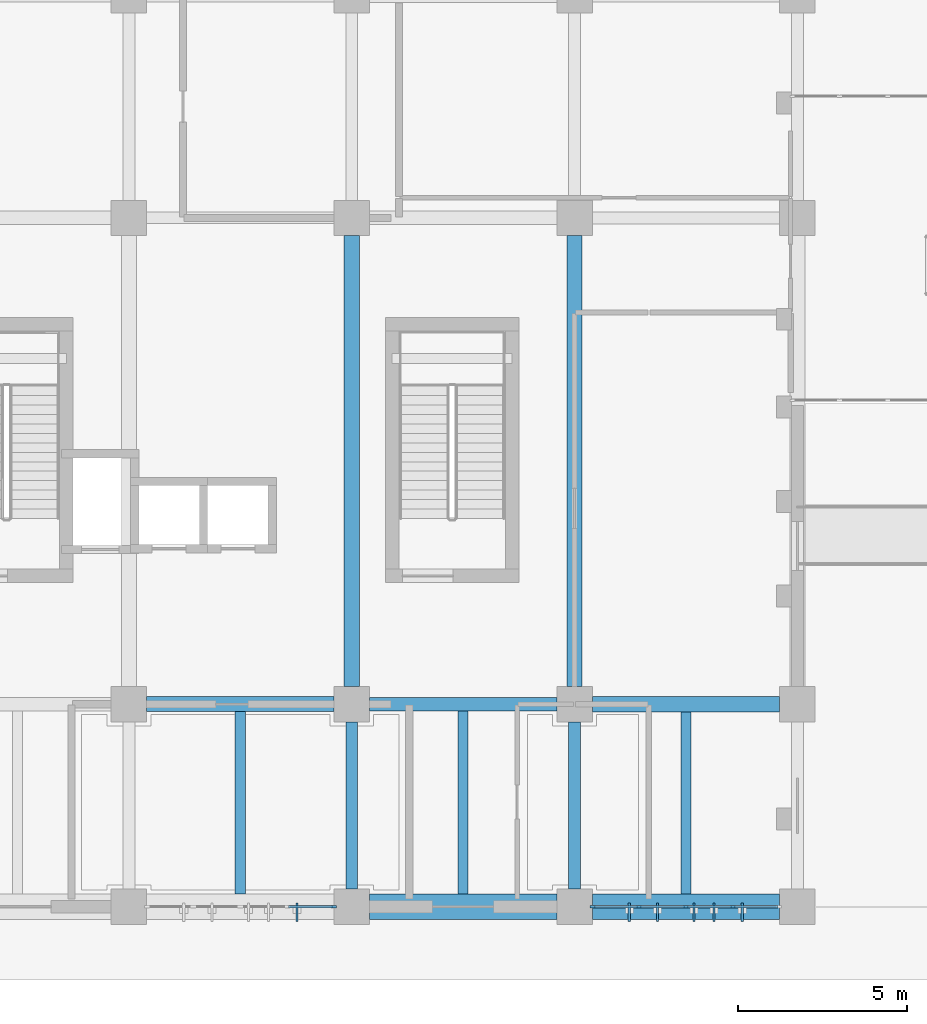
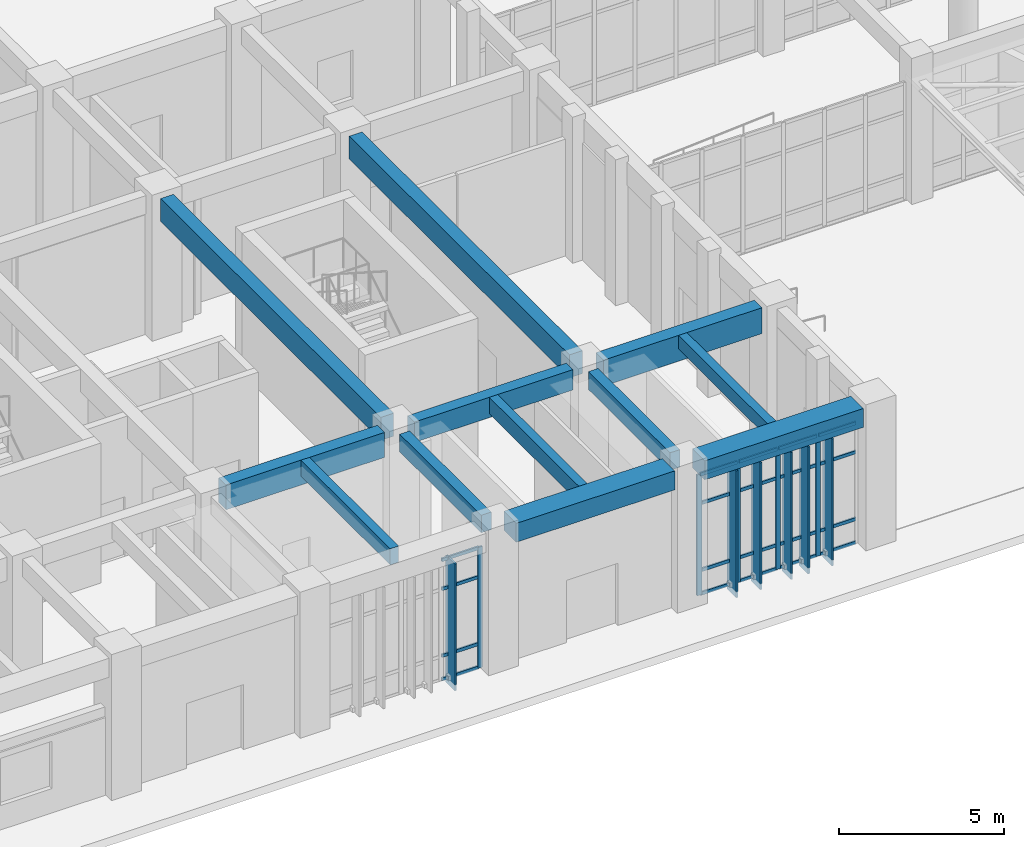
# One storey, part 6 of 70: 31 members, 12 beams, 2 elements without a shape of their own.
"""IFC4 building model written with IfcOpenShell, lengths in metres."""

from ifc_helpers import new_model, si_unit, direction, frame, origin, origin_2d, place, context, subcontext, project, spatial, rectangle, extrude, material, layer, layer_set, material_profile, profile_set, type_object, element, aggregate, save


model = new_model("IFC4")

# Units and contexts
model_context = context("Model", 3, precision=1e-05, world=origin(), true_north=direction((0.0, 1.0)))
body_context = subcontext(model_context, "Body", "Model", "MODEL_VIEW")
ifc_project = project(units=[si_unit("LENGTHUNIT", "METRE"), si_unit("AREAUNIT", "SQUARE_METRE"), si_unit("VOLUMEUNIT", "CUBIC_METRE"), si_unit("PLANEANGLEUNIT", "RADIAN"), si_unit("MASSUNIT", "GRAM", prefix="KILO")], contexts=[model_context])

# Site, building, storey
site_placement = place(None, origin())
site = spatial("IfcSite", under=ifc_project, at=site_placement, CompositionType="ELEMENT")
building_placement = place(site_placement, origin())
building = spatial("IfcBuilding", under=site, at=building_placement, Name="Miralva Faculty of Natural Sciences", CompositionType="ELEMENT")
storey_placement = place(building_placement, origin())
storey = spatial("IfcBuildingStorey", under=building, at=storey_placement, Name="L00", CompositionType="ELEMENT", Elevation=0.0)

# Beams
ifc_material_1 = material(Name="Concrete C40/50", Category="concrete")
ifc_material_profile_1 = material_profile(ifc_material_1, rectangle(XDim=0.449951171875, YDim=0.85009765625, at=origin_2d()), Name="RC 450x850")
ifc_profile_set_1 = profile_set([ifc_material_profile_1], Name="Concrete C40/50")
beam_type_1 = type_object("IfcBeamType", Name="BM-B01", PredefinedType="BEAM", material=ifc_profile_set_1)
for number, where, z_axis, x_axis, name in (
    (1, (22.800048828125, 9.52490234375, 4.7548828125), (0.0, 1.0, 0.0), (-1.0, 0.0, 0.0), "Girder NS L00-141"),
    (2, (29.39990234375, 9.52490234375, 4.7548828125), (0.0, 1.0, 0.0), (-1.0, 0.0, 0.0), "Girder NS L00-154"),
):
    element("IfcBeam", number, at=place(storey_placement, frame(where, z_axis=z_axis, x_axis=x_axis)), inside=storey, type_object=beam_type_1, Name=name, PredefinedType="BEAM", context=body_context, shape_type="SweptSolid", body=[
        extrude(rectangle(XDim=0.449951171875, YDim=0.85009765625, at=origin_2d()), origin(), (0.0, 0.0, 1.0), 13.35009765625),
    ])
ifc_material_profile_2 = material_profile(ifc_material_1, rectangle(XDim=0.39990234375, YDim=0.75, at=origin_2d()), Name="RC 400x750")
ifc_profile_set_2 = profile_set([ifc_material_profile_2], Name="Concrete C40/50")
beam_type_2 = type_object("IfcBeamType", Name="BM-B03", PredefinedType="BEAM", material=ifc_profile_set_2)
beam_1_placement = place(storey_placement, frame((23.324951171875, 9.0, 4.804931640625), z_axis=(1.0, 0.0, 0.0), x_axis=(0.0, 1.0, 0.0)))
element("IfcBeam", 3, at=beam_1_placement, inside=storey, type_object=beam_type_2, Name="Girder EW L00-14", PredefinedType="BEAM", context=body_context, shape_type="SweptSolid", body=[
    extrude(rectangle(XDim=0.39990234375, YDim=0.75, at=origin_2d()), origin(), (0.0, 0.0, 1.0), 5.550048828125),
])
ifc_material_profile_3 = material_profile(ifc_material_1, rectangle(XDim=0.35009765625, YDim=0.64990234375, at=origin_2d()), Name="RC 350x650")
ifc_profile_set_3 = profile_set([ifc_material_profile_3], Name="Concrete C40/50")
beam_type_3 = type_object("IfcBeamType", Name="BM-B05", PredefinedType="BEAM", material=ifc_profile_set_3)
for number, where, z_axis, x_axis, name in (
    (4, (22.800048828125, 3.52490234375, 4.85498046875), (0.0, 1.0, 0.0), (-1.0, 0.0, 0.0), "Girder NS L00-140"),
    (5, (29.39990234375, 3.52490234375, 4.85498046875), (0.0, 1.0, 0.0), (-1.0, 0.0, 0.0), "Girder NS L00-153"),
):
    element("IfcBeam", number, at=place(storey_placement, frame(where, z_axis=z_axis, x_axis=x_axis)), inside=storey, type_object=beam_type_3, Name=name, PredefinedType="BEAM", context=body_context, shape_type="SweptSolid", body=[
        extrude(rectangle(XDim=0.35009765625, YDim=0.64990234375, at=origin_2d()), origin(), (0.0, 0.0, 1.0), 4.9501953125),
    ])
ifc_material_profile_4 = material_profile(ifc_material_1, rectangle(XDim=0.43994140625, YDim=0.919921875, at=origin_2d()), Name="RC 440x920")
ifc_profile_set_4 = profile_set([ifc_material_profile_4], Name="Concrete C40/50")
beam_type_4 = type_object("IfcBeamType", Name="BM-BG14", PredefinedType="BEAM", material=ifc_profile_set_4)
beam_2_placement = place(storey_placement, frame((16.72509765625, 9.0, 4.719970703125), z_axis=(1.0, 0.0, 0.0), x_axis=(0.0, 1.0, 0.0)))
element("IfcBeam", 6, at=beam_2_placement, inside=storey, type_object=beam_type_4, Name="Girder EW L00-13", PredefinedType="BEAM", context=body_context, shape_type="SweptSolid", body=[
    extrude(rectangle(XDim=0.43994140625, YDim=0.919921875, at=origin_2d()), origin(), (0.0, 0.0, 1.0), 5.5498046875),
])
ifc_material_profile_5 = material_profile(ifc_material_1, rectangle(XDim=0.4599609375, YDim=0.9599609375, at=origin_2d()), Name="RC 460x960")
ifc_profile_set_5 = profile_set([ifc_material_profile_5], Name="Concrete C40/50")
beam_type_5 = type_object("IfcBeamType", Name="BM-BG16", PredefinedType="BEAM", material=ifc_profile_set_5)
beam_3_placement = place(storey_placement, frame((29.925048828125, 9.0, 4.699951171875), z_axis=(1.0, 0.0, 0.0), x_axis=(0.0, 1.0, 0.0)))
element("IfcBeam", 7, at=beam_3_placement, inside=storey, type_object=beam_type_5, Name="Girder EW L00-15", PredefinedType="BEAM", context=body_context, shape_type="SweptSolid", body=[
    extrude(rectangle(XDim=0.4599609375, YDim=0.9599609375, at=origin_2d()), origin(), (0.0, 0.0, 1.0), 5.550048828125),
])
ifc_material_profile_6 = material_profile(ifc_material_1, rectangle(XDim=0.300048828125, YDim=0.60009765625, at=origin_2d()), Name="RC 300x600")
ifc_profile_set_6 = profile_set([ifc_material_profile_6], Name="Concrete C40/50")
beam_type_6 = type_object("IfcBeamType", Name="BM-J01", PredefinedType="JOIST", material=ifc_profile_set_6)
beam_4_placement = place(storey_placement, frame((19.5, 3.375, 4.8798828125), z_axis=(0.0, 1.0, 0.0), x_axis=(-1.0, 0.0, 0.0)))
element("IfcBeam", 8, at=beam_4_placement, inside=storey, type_object=beam_type_6, Name="Floor joist L00-3", PredefinedType="JOIST", context=body_context, shape_type="SweptSolid", body=[
    extrude(rectangle(XDim=0.300048828125, YDim=0.60009765625, at=origin_2d()), origin(), (0.0, 0.0, 1.0), 5.405029296875),
])
beam_5_placement = place(storey_placement, frame((26.10009765625, 3.375, 4.8798828125), z_axis=(0.0, 1.0, 0.0), x_axis=(-1.0, 0.0, 0.0)))
element("IfcBeam", 9, at=beam_5_placement, inside=storey, type_object=beam_type_6, Name="Floor joist L00-4", PredefinedType="JOIST", context=body_context, shape_type="SweptSolid", body=[
    extrude(rectangle(XDim=0.300048828125, YDim=0.60009765625, at=origin_2d()), origin(), (0.0, 0.0, 1.0), 5.425048828125),
])
ifc_material_profile_7 = material_profile(ifc_material_1, rectangle(XDim=0.300048828125, YDim=0.5, at=origin_2d()), Name="RC 300x500")
ifc_profile_set_7 = profile_set([ifc_material_profile_7], Name="Concrete C40/50")
beam_type_7 = type_object("IfcBeamType", Name="BM-J03", PredefinedType="JOIST", material=ifc_profile_set_7)
beam_6_placement = place(storey_placement, frame((32.699951171875, 3.375, 4.929931640625), z_axis=(0.0, 1.0, 0.0), x_axis=(-1.0, 0.0, 0.0)))
element("IfcBeam", 10, at=beam_6_placement, inside=storey, type_object=beam_type_7, Name="Floor joist L00-5", PredefinedType="JOIST", context=body_context, shape_type="SweptSolid", body=[
    extrude(rectangle(XDim=0.300048828125, YDim=0.5, at=origin_2d()), origin(), (0.0, 0.0, 1.0), 5.39501953125),
])
ifc_material_profile_8 = material_profile(ifc_material_1, rectangle(XDim=0.75, YDim=0.699951171875, at=origin_2d()), Name="RC 750x700")
ifc_profile_set_8 = profile_set([ifc_material_profile_8], Name="Concrete C40/50")
beam_type_8 = type_object("IfcBeamType", Name="BM-SP01", PredefinedType="SPANDREL", material=ifc_profile_set_8)
for number, where, z_axis, x_axis, name in (
    (11, (23.324951171875, 3.0, 4.830078125), (1.0, 0.0, 0.0), (0.0, 1.0, 0.0), "Girder EW L00-4"),
    (12, (29.925048828125, 3.0, 4.830078125), (1.0, 0.0, 0.0), (0.0, 1.0, 0.0), "Girder EW L00-5"),
):
    element("IfcBeam", number, at=place(storey_placement, frame(where, z_axis=z_axis, x_axis=x_axis)), inside=storey, type_object=beam_type_8, Name=name, PredefinedType="SPANDREL", context=body_context, shape_type="SweptSolid", body=[
        extrude(rectangle(XDim=0.75, YDim=0.699951171875, at=origin_2d()), origin(), (0.0, 0.0, 1.0), 5.550048828125),
    ])

# Curtain wall, member
ifc_material_2 = material(Name="Laminated solar-control glass", Category="glass")
ifc_layer = layer(ifc_material_2, 0.179931640625, Name="CW-TWR-L00")
ifc_layer_set = layer_set([ifc_layer], Name="Laminated solar-control glass")
curtain_wall_type = type_object("IfcCurtainWallType", Name="CW-TWR-L00", PredefinedType="USERDEFINED", material=ifc_layer_set)
curtain_wall_1_placement = place(storey_placement, origin())
curtain_wall_1 = element("IfcCurtainWall", 13, at=curtain_wall_1_placement, inside=storey, type_object=curtain_wall_type, Name="Curtain wall CW-12 L00-211", ObjectType="UNITISED CURTAIN WALL", PredefinedType="USERDEFINED")
ifc_material_3 = material(Name="Anodised aluminium", Category="aluminium")
ifc_material_profile_9 = material_profile(ifc_material_3, rectangle(XDim=0.06494140625, YDim=0.159912109375, at=origin_2d()), Name="MULLION 65x160")
ifc_profile_set_9 = profile_set([ifc_material_profile_9], Name="Anodised aluminium")
member_type_1 = type_object("IfcMemberType", Name="CW-M02", PredefinedType="MULLION", material=ifc_profile_set_9)
member_1_placement = place(storey_placement, frame((22.262451171875, 3.0, 0.0), z_axis=(0.0, 0.0, 1.0), x_axis=(0.0, 1.0, 0.0)))
member_1 = element("IfcMember", 14, at=member_1_placement, type_object=member_type_1, Name="CW-12 mullion 5", PredefinedType="MULLION", context=body_context, shape_type="SweptSolid", body=[
    extrude(rectangle(XDim=0.06494140625, YDim=0.159912109375, at=origin_2d()), origin(), (0.0, 0.0, 1.0), 4.47509765625),
])

# Curtain wall, members
curtain_wall_2_placement = place(storey_placement, origin())
curtain_wall_2 = element("IfcCurtainWall", 15, at=curtain_wall_2_placement, inside=storey, type_object=curtain_wall_type, Name="Curtain wall CW-12 L00-212", ObjectType="UNITISED CURTAIN WALL", PredefinedType="USERDEFINED")
member_2_placement = place(storey_placement, frame((29.9375, 3.0, 0.0), z_axis=(0.0, 0.0, 1.0), x_axis=(0.0, 1.0, 0.0)))
member_2 = element("IfcMember", 16, at=member_2_placement, type_object=member_type_1, Name="CW-12 mullion 1", PredefinedType="MULLION", context=body_context, shape_type="SweptSolid", body=[
    extrude(rectangle(XDim=0.06494140625, YDim=0.159912109375, at=origin_2d()), origin(), (0.0, 0.0, 1.0), 4.47509765625),
])
member_3_placement = place(storey_placement, frame((31.300048828125, 3.0, 0.0), z_axis=(0.0, 0.0, 1.0), x_axis=(0.0, 1.0, 0.0)))
member_3 = element("IfcMember", 17, at=member_3_placement, type_object=member_type_1, Name="CW-12 mullion 2", PredefinedType="MULLION", context=body_context, shape_type="SweptSolid", body=[
    extrude(rectangle(XDim=0.06494140625, YDim=0.159912109375, at=origin_2d()), origin(), (0.0, 0.0, 1.0), 4.47509765625),
])
member_4_placement = place(storey_placement, frame((32.695068359375, 3.0, 0.0), z_axis=(0.0, 0.0, 1.0), x_axis=(0.0, 1.0, 0.0)))
member_4 = element("IfcMember", 18, at=member_4_placement, type_object=member_type_1, Name="CW-12 mullion 3", PredefinedType="MULLION", context=body_context, shape_type="SweptSolid", body=[
    extrude(rectangle(XDim=0.06494140625, YDim=0.159912109375, at=origin_2d()), origin(), (0.0, 0.0, 1.0), 4.47509765625),
])
member_5_placement = place(storey_placement, frame((34.090087890625, 3.0, 0.0), z_axis=(0.0, 0.0, 1.0), x_axis=(0.0, 1.0, 0.0)))
member_5 = element("IfcMember", 19, at=member_5_placement, type_object=member_type_1, Name="CW-12 mullion 4", PredefinedType="MULLION", context=body_context, shape_type="SweptSolid", body=[
    extrude(rectangle(XDim=0.06494140625, YDim=0.159912109375, at=origin_2d()), origin(), (0.0, 0.0, 1.0), 4.47509765625),
])

# Member
ifc_material_profile_10 = material_profile(ifc_material_3, rectangle(XDim=0.06005859375, YDim=0.1201171875, at=origin_2d()), Name="TRANSOM 60x120")
ifc_profile_set_10 = profile_set([ifc_material_profile_10], Name="Anodised aluminium")
member_type_2 = type_object("IfcMemberType", Name="CW-T02", PredefinedType="USERDEFINED", material=ifc_profile_set_10)
member_6_placement = place(storey_placement, frame((20.929931640625, 3.0, 0.030029296875), z_axis=(1.0, 0.0, 0.0), x_axis=(0.0, 1.0, 0.0)))
member_6 = element("IfcMember", 20, at=member_6_placement, type_object=member_type_2, Name="CW-12 transom 4.1", ObjectType="TRANSOM", PredefinedType="USERDEFINED", context=body_context, shape_type="SweptSolid", body=[
    extrude(rectangle(XDim=0.06005859375, YDim=0.1201171875, at=origin_2d()), origin(), (0.0, 0.0, 1.0), 1.300048828125),
])

member_7_placement = place(storey_placement, frame((20.929931640625, 3.0, 0.89990234375), z_axis=(1.0, 0.0, 0.0), x_axis=(0.0, 1.0, 0.0)))
member_7 = element("IfcMember", 21, at=member_7_placement, type_object=member_type_2, Name="CW-12 transom 4.2", ObjectType="TRANSOM", PredefinedType="USERDEFINED", context=body_context, shape_type="SweptSolid", body=[
    extrude(rectangle(XDim=0.06005859375, YDim=0.1201171875, at=origin_2d()), origin(), (0.0, 0.0, 1.0), 1.300048828125),
])

member_8_placement = place(storey_placement, frame((20.929931640625, 3.0, 3.375), z_axis=(1.0, 0.0, 0.0), x_axis=(0.0, 1.0, 0.0)))
member_8 = element("IfcMember", 22, at=member_8_placement, type_object=member_type_2, Name="CW-12 transom 4.3", ObjectType="TRANSOM", PredefinedType="USERDEFINED", context=body_context, shape_type="SweptSolid", body=[
    extrude(rectangle(XDim=0.06005859375, YDim=0.1201171875, at=origin_2d()), origin(), (0.0, 0.0, 1.0), 1.300048828125),
])

member_9_placement = place(storey_placement, frame((20.929931640625, 3.0, 4.445068359375), z_axis=(1.0, 0.0, 0.0), x_axis=(0.0, 1.0, 0.0)))
member_9 = element("IfcMember", 23, at=member_9_placement, type_object=member_type_2, Name="CW-12 transom 4.4", ObjectType="TRANSOM", PredefinedType="USERDEFINED", context=body_context, shape_type="SweptSolid", body=[
    extrude(rectangle(XDim=0.06005859375, YDim=0.1201171875, at=origin_2d()), origin(), (0.0, 0.0, 1.0), 1.300048828125),
])

aggregate(curtain_wall_1, [member_1, member_6, member_7, member_8, member_9])

member_10_placement = place(storey_placement, frame((29.969970703125, 3.0, 0.030029296875), z_axis=(1.0, 0.0, 0.0), x_axis=(0.0, 1.0, 0.0)))
member_10 = element("IfcMember", 24, at=member_10_placement, type_object=member_type_2, Name="CW-12 transom 1.1", ObjectType="TRANSOM", PredefinedType="USERDEFINED", context=body_context, shape_type="SweptSolid", body=[
    extrude(rectangle(XDim=0.06005859375, YDim=0.1201171875, at=origin_2d()), origin(), (0.0, 0.0, 1.0), 1.297607421875),
])

member_11_placement = place(storey_placement, frame((29.969970703125, 3.0, 0.89990234375), z_axis=(1.0, 0.0, 0.0), x_axis=(0.0, 1.0, 0.0)))
member_11 = element("IfcMember", 25, at=member_11_placement, type_object=member_type_2, Name="CW-12 transom 1.2", ObjectType="TRANSOM", PredefinedType="USERDEFINED", context=body_context, shape_type="SweptSolid", body=[
    extrude(rectangle(XDim=0.06005859375, YDim=0.1201171875, at=origin_2d()), origin(), (0.0, 0.0, 1.0), 1.297607421875),
])

member_12_placement = place(storey_placement, frame((29.969970703125, 3.0, 3.375), z_axis=(1.0, 0.0, 0.0), x_axis=(0.0, 1.0, 0.0)))
member_12 = element("IfcMember", 26, at=member_12_placement, type_object=member_type_2, Name="CW-12 transom 1.3", ObjectType="TRANSOM", PredefinedType="USERDEFINED", context=body_context, shape_type="SweptSolid", body=[
    extrude(rectangle(XDim=0.06005859375, YDim=0.1201171875, at=origin_2d()), origin(), (0.0, 0.0, 1.0), 1.297607421875),
])

member_13_placement = place(storey_placement, frame((29.969970703125, 3.0, 4.445068359375), z_axis=(1.0, 0.0, 0.0), x_axis=(0.0, 1.0, 0.0)))
member_13 = element("IfcMember", 27, at=member_13_placement, type_object=member_type_2, Name="CW-12 transom 1.4", ObjectType="TRANSOM", PredefinedType="USERDEFINED", context=body_context, shape_type="SweptSolid", body=[
    extrude(rectangle(XDim=0.06005859375, YDim=0.1201171875, at=origin_2d()), origin(), (0.0, 0.0, 1.0), 1.297607421875),
])

member_14_placement = place(storey_placement, frame((31.33251953125, 3.0, 0.030029296875), z_axis=(1.0, 0.0, 0.0), x_axis=(0.0, 1.0, 0.0)))
member_14 = element("IfcMember", 28, at=member_14_placement, type_object=member_type_2, Name="CW-12 transom 2.1", ObjectType="TRANSOM", PredefinedType="USERDEFINED", context=body_context, shape_type="SweptSolid", body=[
    extrude(rectangle(XDim=0.06005859375, YDim=0.1201171875, at=origin_2d()), origin(), (0.0, 0.0, 1.0), 1.330078125),
])

member_15_placement = place(storey_placement, frame((31.33251953125, 3.0, 0.89990234375), z_axis=(1.0, 0.0, 0.0), x_axis=(0.0, 1.0, 0.0)))
member_15 = element("IfcMember", 29, at=member_15_placement, type_object=member_type_2, Name="CW-12 transom 2.2", ObjectType="TRANSOM", PredefinedType="USERDEFINED", context=body_context, shape_type="SweptSolid", body=[
    extrude(rectangle(XDim=0.06005859375, YDim=0.1201171875, at=origin_2d()), origin(), (0.0, 0.0, 1.0), 1.330078125),
])

member_16_placement = place(storey_placement, frame((31.33251953125, 3.0, 3.375), z_axis=(1.0, 0.0, 0.0), x_axis=(0.0, 1.0, 0.0)))
member_16 = element("IfcMember", 30, at=member_16_placement, type_object=member_type_2, Name="CW-12 transom 2.3", ObjectType="TRANSOM", PredefinedType="USERDEFINED", context=body_context, shape_type="SweptSolid", body=[
    extrude(rectangle(XDim=0.06005859375, YDim=0.1201171875, at=origin_2d()), origin(), (0.0, 0.0, 1.0), 1.330078125),
])

member_17_placement = place(storey_placement, frame((31.33251953125, 3.0, 4.445068359375), z_axis=(1.0, 0.0, 0.0), x_axis=(0.0, 1.0, 0.0)))
member_17 = element("IfcMember", 31, at=member_17_placement, type_object=member_type_2, Name="CW-12 transom 2.4", ObjectType="TRANSOM", PredefinedType="USERDEFINED", context=body_context, shape_type="SweptSolid", body=[
    extrude(rectangle(XDim=0.06005859375, YDim=0.1201171875, at=origin_2d()), origin(), (0.0, 0.0, 1.0), 1.330078125),
])

member_18_placement = place(storey_placement, frame((32.7275390625, 3.0, 0.030029296875), z_axis=(1.0, 0.0, 0.0), x_axis=(0.0, 1.0, 0.0)))
member_18 = element("IfcMember", 32, at=member_18_placement, type_object=member_type_2, Name="CW-12 transom 3.1", ObjectType="TRANSOM", PredefinedType="USERDEFINED", context=body_context, shape_type="SweptSolid", body=[
    extrude(rectangle(XDim=0.06005859375, YDim=0.1201171875, at=origin_2d()), origin(), (0.0, 0.0, 1.0), 1.330078125),
])

member_19_placement = place(storey_placement, frame((32.7275390625, 3.0, 0.89990234375), z_axis=(1.0, 0.0, 0.0), x_axis=(0.0, 1.0, 0.0)))
member_19 = element("IfcMember", 33, at=member_19_placement, type_object=member_type_2, Name="CW-12 transom 3.2", ObjectType="TRANSOM", PredefinedType="USERDEFINED", context=body_context, shape_type="SweptSolid", body=[
    extrude(rectangle(XDim=0.06005859375, YDim=0.1201171875, at=origin_2d()), origin(), (0.0, 0.0, 1.0), 1.330078125),
])

member_20_placement = place(storey_placement, frame((32.7275390625, 3.0, 3.375), z_axis=(1.0, 0.0, 0.0), x_axis=(0.0, 1.0, 0.0)))
member_20 = element("IfcMember", 34, at=member_20_placement, type_object=member_type_2, Name="CW-12 transom 3.3", ObjectType="TRANSOM", PredefinedType="USERDEFINED", context=body_context, shape_type="SweptSolid", body=[
    extrude(rectangle(XDim=0.06005859375, YDim=0.1201171875, at=origin_2d()), origin(), (0.0, 0.0, 1.0), 1.330078125),
])

member_21_placement = place(storey_placement, frame((32.7275390625, 3.0, 4.445068359375), z_axis=(1.0, 0.0, 0.0), x_axis=(0.0, 1.0, 0.0)))
member_21 = element("IfcMember", 35, at=member_21_placement, type_object=member_type_2, Name="CW-12 transom 3.4", ObjectType="TRANSOM", PredefinedType="USERDEFINED", context=body_context, shape_type="SweptSolid", body=[
    extrude(rectangle(XDim=0.06005859375, YDim=0.1201171875, at=origin_2d()), origin(), (0.0, 0.0, 1.0), 1.330078125),
])

member_22_placement = place(storey_placement, frame((34.12255859375, 3.0, 0.030029296875), z_axis=(1.0, 0.0, 0.0), x_axis=(0.0, 1.0, 0.0)))
member_22 = element("IfcMember", 36, at=member_22_placement, type_object=member_type_2, Name="CW-12 transom 4.1", ObjectType="TRANSOM", PredefinedType="USERDEFINED", context=body_context, shape_type="SweptSolid", body=[
    extrude(rectangle(XDim=0.06005859375, YDim=0.1201171875, at=origin_2d()), origin(), (0.0, 0.0, 1.0), 1.29736328125),
])

member_23_placement = place(storey_placement, frame((34.12255859375, 3.0, 0.89990234375), z_axis=(1.0, 0.0, 0.0), x_axis=(0.0, 1.0, 0.0)))
member_23 = element("IfcMember", 37, at=member_23_placement, type_object=member_type_2, Name="CW-12 transom 4.2", ObjectType="TRANSOM", PredefinedType="USERDEFINED", context=body_context, shape_type="SweptSolid", body=[
    extrude(rectangle(XDim=0.06005859375, YDim=0.1201171875, at=origin_2d()), origin(), (0.0, 0.0, 1.0), 1.29736328125),
])

member_24_placement = place(storey_placement, frame((34.12255859375, 3.0, 3.375), z_axis=(1.0, 0.0, 0.0), x_axis=(0.0, 1.0, 0.0)))
member_24 = element("IfcMember", 38, at=member_24_placement, type_object=member_type_2, Name="CW-12 transom 4.3", ObjectType="TRANSOM", PredefinedType="USERDEFINED", context=body_context, shape_type="SweptSolid", body=[
    extrude(rectangle(XDim=0.06005859375, YDim=0.1201171875, at=origin_2d()), origin(), (0.0, 0.0, 1.0), 1.29736328125),
])

member_25_placement = place(storey_placement, frame((34.12255859375, 3.0, 4.445068359375), z_axis=(1.0, 0.0, 0.0), x_axis=(0.0, 1.0, 0.0)))
member_25 = element("IfcMember", 39, at=member_25_placement, type_object=member_type_2, Name="CW-12 transom 4.4", ObjectType="TRANSOM", PredefinedType="USERDEFINED", context=body_context, shape_type="SweptSolid", body=[
    extrude(rectangle(XDim=0.06005859375, YDim=0.1201171875, at=origin_2d()), origin(), (0.0, 0.0, 1.0), 1.29736328125),
])

aggregate(curtain_wall_2, [member_2, member_3, member_4, member_5, member_10, member_11, member_12, member_13, member_14, member_15, member_16, member_17, member_18, member_19, member_20, member_21, member_22, member_23, member_24, member_25])

# Members
ifc_material_profile_11 = material_profile(ifc_material_3, rectangle(XDim=0.06494140625, YDim=0.550048828125, at=origin_2d()), Name="FIN 550x65")
ifc_profile_set_11 = profile_set([ifc_material_profile_11], Name="Anodised aluminium")
member_type_3 = type_object("IfcMemberType", Name="MEM-SF03", PredefinedType="USERDEFINED", material=ifc_profile_set_11)
for number, where, z_axis, x_axis, name in (
    (40, (21.176025390625, 2.840087890625, -0.219970703125), (0.0, 0.0, 1.0), (1.0, 0.0, 0.0), "Solar shading fin SF-03 L00-169"),
    (41, (31.02294921875, 2.840087890625, -0.219970703125), (0.0, 0.0, 1.0), (1.0, 0.0, 0.0), "Solar shading fin SF-03 L00-170"),
    (42, (31.85888671875, 2.840087890625, -0.219970703125), (0.0, 0.0, 1.0), (1.0, 0.0, 0.0), "Solar shading fin SF-03 L00-171"),
    (43, (32.93505859375, 2.840087890625, -0.219970703125), (0.0, 0.0, 1.0), (1.0, 0.0, 0.0), "Solar shading fin SF-03 L00-172"),
    (44, (33.531005859375, 2.840087890625, -0.219970703125), (0.0, 0.0, 1.0), (1.0, 0.0, 0.0), "Solar shading fin SF-03 L00-173"),
    (45, (34.366943359375, 2.840087890625, -0.219970703125), (0.0, 0.0, 1.0), (1.0, 0.0, 0.0), "Solar shading fin SF-03 L00-174"),
):
    element("IfcMember", number, at=place(storey_placement, frame(where, z_axis=z_axis, x_axis=x_axis)), inside=storey, type_object=member_type_3, Name=name, ObjectType="SUNSHADE", PredefinedType="USERDEFINED", context=body_context, shape_type="SweptSolid", body=[
        extrude(rectangle(XDim=0.06494140625, YDim=0.550048828125, at=origin_2d()), origin(), (0.0, 0.0, 1.0), 4.695068359375),
    ])

save(model, "model.ifc")
